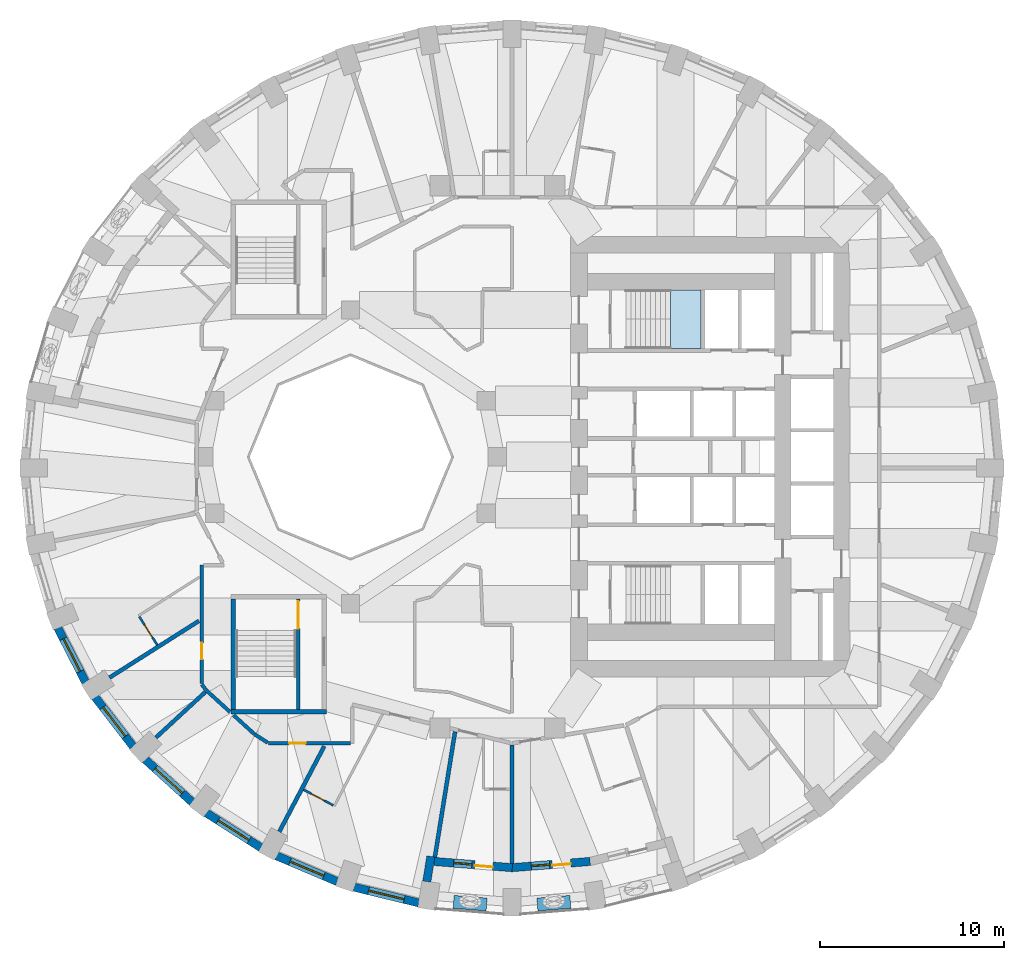
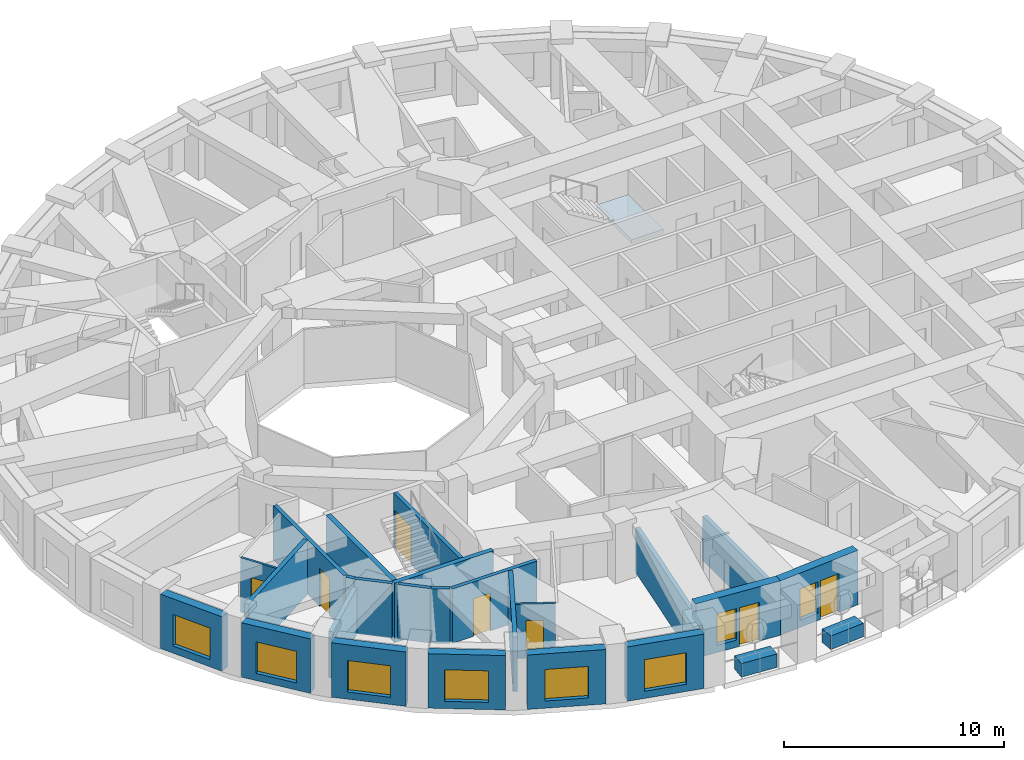
# One storey, part 3 of 13: 27 walls, 8 windows, 7 doors, 1 slab, 15 openings, 1 element without a shape of its own.
"""IFC4 building model written with IfcOpenShell, lengths in metres."""

from ifc_helpers import new_model, si_unit, direction, frame, frame_2d, origin, place, context, subcontext, project, spatial, polyline, rectangle, outline, extrude, material, layer, layer_set, constituent, constituent_set, type_object, element, fill, aggregate, save


model = new_model("IFC4")

# Units and contexts
model_context = context("Model", 3, precision=1e-05, world=origin(), true_north=direction((0.0, 1.0)))
body_context = subcontext(model_context, "Body", "Model", "MODEL_VIEW")
ifc_project = project(units=[si_unit("LENGTHUNIT", "METRE"), si_unit("AREAUNIT", "SQUARE_METRE"), si_unit("VOLUMEUNIT", "CUBIC_METRE"), si_unit("PLANEANGLEUNIT", "RADIAN"), si_unit("MASSUNIT", "GRAM", prefix="KILO")], contexts=[model_context])

# Site, building, storey
site_placement = place(None, origin())
site = spatial("IfcSite", under=ifc_project, at=site_placement, CompositionType="ELEMENT")
building_placement = place(site_placement, origin())
building = spatial("IfcBuilding", under=site, at=building_placement, Name="Taillehof Tower", CompositionType="ELEMENT")
storey_placement = place(building_placement, frame((0.0, 0.0, 108.699951171875)))
storey = spatial("IfcBuildingStorey", under=building, at=storey_placement, Name="L30", CompositionType="ELEMENT", Elevation=108.699951171875)

# Stair, slab
ifc_material_1 = material(Name="Concrete C40/50", Category="concrete")
stair_type = type_object("IfcStairType", Name="Exit stair half-turn", PredefinedType="HALF_TURN_STAIR", material=ifc_material_1)
stair_placement = place(storey_placement, origin())
stair = element("IfcStair", 1, at=stair_placement, inside=storey, type_object=stair_type, Name="Exit stair S1", PredefinedType="HALF_TURN_STAIR")
ifc_material_2 = material(Name="Concrete C40/50", Category="concrete")
ifc_layer_1 = layer(ifc_material_2, 0.2099609375)
ifc_layer_set_1 = layer_set([ifc_layer_1], Name="Stair landing C40/50 210")
slab_type = type_object("IfcSlabType", Name="Stair landing C40/50 210", PredefinedType="LANDING", material=ifc_layer_set_1)
slab_placement = place(storey_placement, frame((0.0, 0.0, 1.43994140625)))
slab = element("IfcSlab", 2, at=slab_placement, type_object=slab_type, Name="S1 landing 1", PredefinedType="LANDING", context=body_context, shape_type="SweptSolid", body=[
    extrude(outline(polyline([(9.429931640625, 5.89990234375), (11.10009765625, 5.89990234375), (11.10009765625, 9.10009765625), (9.429931640625, 9.10009765625), (9.429931640625, 5.89990234375)])), origin(), (0.0, 0.0, 1.0), 0.210205078125),
])
aggregate(stair, [slab])

# Wall, opening, window
ifc_material_3 = material(Name="Brick masonry", Category="masonry")
ifc_layer_2 = layer(ifc_material_3, 0.449951171875)
ifc_layer_set_2 = layer_set([ifc_layer_2], Name="Brick infill wall 450")
wall_type_1 = type_object("IfcWallType", Name="Brick infill wall 450", PredefinedType="SOLIDWALL", material=ifc_layer_set_2)
wall_1_placement = place(storey_placement, frame((-23.9453125, -9.312255859375, 0.0), z_axis=(0.0, 0.0, 1.0), x_axis=(0.456828186229, -0.889554949549, 0.0)))
wall_1 = element("IfcWall", 3, at=wall_1_placement, inside=storey, type_object=wall_type_1, Name="Brick wall L30 bay 21", PredefinedType="SOLIDWALL", context=body_context, shape_type="SweptSolid", body=[
    extrude(rectangle(XDim=3.332763671875, YDim=0.449951171875, at=frame_2d((1.66650390625, 0.0))), origin(), (0.0, 0.0, 1.0), 3.02001953125),
])
opening_1_placement = place(wall_1_placement, frame((0.666259765625, 0.0, 0.39990234375)))
opening_1 = element("IfcOpeningElement", 4, at=opening_1_placement, cuts=wall_1, Name="Opening W2", PredefinedType="OPENING", context=body_context, shape_type="SweptSolid", body=[
    extrude(rectangle(XDim=2.0, YDim=1.75, at=frame_2d((1.0, 0.875))), frame((0.0, 0.23486328125, 0.0), z_axis=(0.0, -1.0, 0.0), x_axis=(1.0, 0.0, 0.0)), (0.0, 0.0, 1.0), 0.469970703125),
])
ifc_material_4 = material(Name="Aluminium window frame with clear double glazing", Category="aluminium")
window_type_1 = type_object("IfcWindowType", Name="Deep-set window 2000x1750", PartitioningType="SINGLE_PANEL", PredefinedType="WINDOW", material=ifc_material_4)
window_1_placement = place(opening_1_placement, origin())
window_1 = element("IfcWindow", 5, at=window_1_placement, inside=storey, type_object=window_type_1, Name="W2", OverallHeight=1.75, OverallWidth=2.0, PartitioningType="SINGLE_PANEL", PredefinedType="WINDOW", context=body_context, shape_type="SweptSolid", body=[
    extrude(rectangle(XDim=2.0, YDim=1.75, at=frame_2d((1.0, 0.875))), frame((0.0, 0.034912109375, 0.0), z_axis=(0.0, -1.0, 0.0), x_axis=(1.0, 0.0, 0.0)), (0.0, 0.0, 1.0), 0.06005859375),
])
fill(opening_1, window_1)

wall_2_placement = place(storey_placement, frame((-21.908203125, -13.08740234375, 0.0), z_axis=(0.0, 0.0, 1.0), x_axis=(0.610693945156, -0.791866721961, 0.0)))
wall_2 = element("IfcWall", 6, at=wall_2_placement, inside=storey, type_object=wall_type_1, Name="Brick wall L30 bay 22", PredefinedType="SOLIDWALL", context=body_context, shape_type="SweptSolid", body=[
    extrude(rectangle(XDim=3.39453125, YDim=0.449951171875, at=frame_2d((1.697265625, 0.0))), origin(), (0.0, 0.0, 1.0), 3.02001953125),
])
opening_2_placement = place(wall_2_placement, frame((0.697265625, 0.0, 0.39990234375)))
opening_2 = element("IfcOpeningElement", 7, at=opening_2_placement, cuts=wall_2, Name="Opening W2", PredefinedType="OPENING", context=body_context, shape_type="SweptSolid", body=[
    extrude(rectangle(XDim=2.0, YDim=1.75, at=frame_2d((1.0, 0.875))), frame((0.0, 0.23486328125, 0.0), z_axis=(0.0, -1.0, 0.0), x_axis=(1.0, 0.0, 0.0)), (0.0, 0.0, 1.0), 0.469970703125),
])
window_2_placement = place(opening_2_placement, origin())
window_2 = element("IfcWindow", 8, at=window_2_placement, inside=storey, type_object=window_type_1, Name="W2", OverallHeight=1.75, OverallWidth=2.0, PartitioningType="SINGLE_PANEL", PredefinedType="WINDOW", context=body_context, shape_type="SweptSolid", body=[
    extrude(rectangle(XDim=2.0, YDim=1.75, at=frame_2d((1.0, 0.875))), frame((0.0, 0.034912109375, 0.0), z_axis=(0.0, -1.0, 0.0), x_axis=(1.0, 0.0, 0.0)), (0.0, 0.0, 1.0), 0.06005859375),
])
fill(opening_2, window_2)

wall_3_placement = place(storey_placement, frame((-19.18408203125, -16.481201171875, 0.0), z_axis=(0.0, 0.0, 1.0), x_axis=(0.740364106106, -0.672206062446, 0.0)))
wall_3 = element("IfcWall", 9, at=wall_3_placement, inside=storey, type_object=wall_type_1, Name="Brick wall L30 bay 23", PredefinedType="SOLIDWALL", context=body_context, shape_type="SweptSolid", body=[
    extrude(rectangle(XDim=3.4638671875, YDim=0.449951171875, at=frame_2d((1.73193359375, 0.0))), origin(), (0.0, 0.0, 1.0), 3.02001953125),
])
opening_3_placement = place(wall_3_placement, frame((0.73193359375, 0.0, 0.39990234375)))
opening_3 = element("IfcOpeningElement", 10, at=opening_3_placement, cuts=wall_3, Name="Opening W2", PredefinedType="OPENING", context=body_context, shape_type="SweptSolid", body=[
    extrude(rectangle(XDim=2.0, YDim=1.75, at=frame_2d((1.0, 0.875))), frame((0.0, 0.23486328125, 0.0), z_axis=(0.0, -1.0, 0.0), x_axis=(1.0, 0.0, 0.0)), (0.0, 0.0, 1.0), 0.469970703125),
])
window_3_placement = place(opening_3_placement, origin())
window_3 = element("IfcWindow", 11, at=window_3_placement, inside=storey, type_object=window_type_1, Name="W2", OverallHeight=1.75, OverallWidth=2.0, PartitioningType="SINGLE_PANEL", PredefinedType="WINDOW", context=body_context, shape_type="SweptSolid", body=[
    extrude(rectangle(XDim=2.0, YDim=1.75, at=frame_2d((1.0, 0.875))), frame((0.0, 0.034912109375, 0.0), z_axis=(0.0, -1.0, 0.0), x_axis=(1.0, 0.0, 0.0)), (0.0, 0.0, 1.0), 0.06005859375),
])
fill(opening_3, window_3)

wall_4_placement = place(storey_placement, frame((-15.856201171875, -19.39208984375, 0.0), z_axis=(0.0, 0.0, 1.0), x_axis=(0.843891947083, -0.53651317006, 0.0)))
wall_4 = element("IfcWall", 12, at=wall_4_placement, inside=storey, type_object=wall_type_1, Name="Brick wall L30 bay 24", PredefinedType="SOLIDWALL", context=body_context, shape_type="SweptSolid", body=[
    extrude(rectangle(XDim=3.531982421875, YDim=0.449951171875, at=frame_2d((1.76611328125, 0.0))), origin(), (0.0, 0.0, 1.0), 3.02001953125),
])
opening_4_placement = place(wall_4_placement, frame((0.76611328125, 0.0, 0.39990234375)))
opening_4 = element("IfcOpeningElement", 13, at=opening_4_placement, cuts=wall_4, Name="Opening W2", PredefinedType="OPENING", context=body_context, shape_type="SweptSolid", body=[
    extrude(rectangle(XDim=2.0, YDim=1.75, at=frame_2d((1.0, 0.875))), frame((0.0, 0.23486328125, 0.0), z_axis=(0.0, -1.0, 0.0), x_axis=(1.0, 0.0, 0.0)), (0.0, 0.0, 1.0), 0.469970703125),
])
window_4_placement = place(opening_4_placement, origin())
window_4 = element("IfcWindow", 14, at=window_4_placement, inside=storey, type_object=window_type_1, Name="W2", OverallHeight=1.75, OverallWidth=2.0, PartitioningType="SINGLE_PANEL", PredefinedType="WINDOW", context=body_context, shape_type="SweptSolid", body=[
    extrude(rectangle(XDim=2.0, YDim=1.75, at=frame_2d((1.0, 0.875))), frame((0.0, 0.034912109375, 0.0), z_axis=(0.0, -1.0, 0.0), x_axis=(1.0, 0.0, 0.0)), (0.0, 0.0, 1.0), 0.06005859375),
])
fill(opening_4, window_4)

wall_5_placement = place(storey_placement, frame((-12.025390625, -21.7333984375, 0.0), z_axis=(0.0, 0.0, 1.0), x_axis=(0.920879975612, -0.389846213932, 0.0)))
wall_5 = element("IfcWall", 15, at=wall_5_placement, inside=storey, type_object=wall_type_1, Name="Brick wall L30 bay 25", PredefinedType="SOLIDWALL", context=body_context, shape_type="SweptSolid", body=[
    extrude(rectangle(XDim=3.591552734375, YDim=0.449951171875, at=frame_2d((1.7958984375, 0.0))), origin(), (0.0, 0.0, 1.0), 3.02001953125),
])
opening_5_placement = place(wall_5_placement, frame((0.795654296875, 0.0, 0.39990234375)))
opening_5 = element("IfcOpeningElement", 16, at=opening_5_placement, cuts=wall_5, Name="Opening W2", PredefinedType="OPENING", context=body_context, shape_type="SweptSolid", body=[
    extrude(rectangle(XDim=2.0, YDim=1.75, at=frame_2d((1.0, 0.875))), frame((0.0, 0.23486328125, 0.0), z_axis=(0.0, -1.0, 0.0), x_axis=(1.0, 0.0, 0.0)), (0.0, 0.0, 1.0), 0.469970703125),
])
window_5_placement = place(opening_5_placement, origin())
window_5 = element("IfcWindow", 17, at=window_5_placement, inside=storey, type_object=window_type_1, Name="W2", OverallHeight=1.75, OverallWidth=2.0, PartitioningType="SINGLE_PANEL", PredefinedType="WINDOW", context=body_context, shape_type="SweptSolid", body=[
    extrude(rectangle(XDim=2.0, YDim=1.75, at=frame_2d((1.0, 0.875))), frame((0.0, 0.034912109375, 0.0), z_axis=(0.0, -1.0, 0.0), x_axis=(1.0, 0.0, 0.0)), (0.0, 0.0, 1.0), 0.06005859375),
])
fill(opening_5, window_5)

wall_6_placement = place(storey_placement, frame((-7.806640625, -23.435302734375, 0.0), z_axis=(0.0, 0.0, 1.0), x_axis=(0.971667603162, -0.236351579148, 0.0)))
wall_6 = element("IfcWall", 18, at=wall_6_placement, inside=storey, type_object=wall_type_1, Name="Brick wall L30 bay 26", PredefinedType="SOLIDWALL", context=body_context, shape_type="SweptSolid", body=[
    extrude(rectangle(XDim=3.635009765625, YDim=0.449951171875, at=frame_2d((1.8173828125, 0.0))), origin(), (0.0, 0.0, 1.0), 3.02001953125),
])
opening_6_placement = place(wall_6_placement, frame((0.8173828125, 0.0, 0.39990234375)))
opening_6 = element("IfcOpeningElement", 19, at=opening_6_placement, cuts=wall_6, Name="Opening W2", PredefinedType="OPENING", context=body_context, shape_type="SweptSolid", body=[
    extrude(rectangle(XDim=2.0, YDim=1.75, at=frame_2d((1.0, 0.875))), frame((0.0, 0.23486328125, 0.0), z_axis=(0.0, -1.0, 0.0), x_axis=(1.0, 0.0, 0.0)), (0.0, 0.0, 1.0), 0.469970703125),
])
window_6_placement = place(opening_6_placement, origin())
window_6 = element("IfcWindow", 20, at=window_6_placement, inside=storey, type_object=window_type_1, Name="W2", OverallHeight=1.75, OverallWidth=2.0, PartitioningType="SINGLE_PANEL", PredefinedType="WINDOW", context=body_context, shape_type="SweptSolid", body=[
    extrude(rectangle(XDim=2.0, YDim=1.75, at=frame_2d((1.0, 0.875))), frame((0.0, 0.034912109375, 0.0), z_axis=(0.0, -1.0, 0.0), x_axis=(1.0, 0.0, 0.0)), (0.0, 0.0, 1.0), 0.06005859375),
])
fill(opening_6, window_6)

# Wall
wall_7_placement = place(storey_placement, frame((-3.84130859375, -23.13232421875, 0.0), z_axis=(0.0, 0.0, 1.0), x_axis=(0.158442643832, 0.987368182906, 0.0)))
element("IfcWall", 21, at=wall_7_placement, inside=storey, type_object=wall_type_1, Name="Brick reveal L30 pocket 8", PredefinedType="SOLIDWALL", context=body_context, shape_type="SweptSolid", body=[
    extrude(rectangle(XDim=1.389892578125, YDim=0.449951171875, at=frame_2d((0.69482421875, 0.0))), origin(), (0.0, 0.0, 1.0), 2.469970703125),
])

# Wall, openings, door, window
wall_8_placement = place(storey_placement, frame((-3.4375, -22.036865234375, 0.0), z_axis=(0.0, 0.0, 1.0), x_axis=(0.996844307919, -0.079381520332, 0.0)))
wall_8 = element("IfcWall", 22, at=wall_8_placement, inside=storey, type_object=wall_type_1, Name="Brick wall L30 pocket bay 27", PredefinedType="SOLIDWALL", context=body_context, shape_type="SweptSolid", body=[
    extrude(rectangle(XDim=4.268798828125, YDim=0.449951171875, at=frame_2d((2.13427734375, 0.0))), origin(), (0.0, 0.0, 1.0), 3.02001953125),
])
opening_7_placement = place(wall_8_placement, frame((1.0595703125, 0.0, 0.39990234375)))
opening_7 = element("IfcOpeningElement", 23, at=opening_7_placement, cuts=wall_8, Name="Opening W5", PredefinedType="OPENING", context=body_context, shape_type="SweptSolid", body=[
    extrude(rectangle(XDim=1.0, YDim=1.75, at=frame_2d((0.5, 0.875))), frame((0.0, 0.23486328125, 0.0), z_axis=(0.0, -1.0, 0.0), x_axis=(1.0, 0.0, 0.0)), (0.0, 0.0, 1.0), 0.469970703125),
])
opening_8_placement = place(wall_8_placement, frame((2.20947265625, 0.0, 0.0)))
opening_8 = element("IfcOpeningElement", 24, at=opening_8_placement, cuts=wall_8, Name="Opening D3094", PredefinedType="OPENING", context=body_context, shape_type="SweptSolid", body=[
    extrude(rectangle(XDim=1.0, YDim=2.14990234375, at=frame_2d((0.5, 1.074951171875))), frame((0.0, 0.23486328125, 0.0), z_axis=(0.0, -1.0, 0.0), x_axis=(1.0, 0.0, 0.0)), (0.0, 0.0, 1.0), 0.469970703125),
])
ifc_material_5 = material(Name="Aluminium door frame with clear double glazing", Category="aluminium")
door_type_1 = type_object("IfcDoorType", Name="Balcony door 1000x2150", OperationType="SINGLE_SWING_RIGHT", PredefinedType="DOOR", material=ifc_material_5)
door_1_placement = place(opening_8_placement, frame((1.0, 0.0, 0.0), z_axis=(0.0, 0.0, 1.0), x_axis=(-1.0, 0.0, 0.0)))
door_1 = element("IfcDoor", 25, at=door_1_placement, inside=storey, type_object=door_type_1, Name="Balcony door L30 bay 27", OperationType="SINGLE_SWING_RIGHT", OverallHeight=2.14990234375, OverallWidth=1.0, PredefinedType="DOOR", context=body_context, shape_type="SweptSolid", body=[
    extrude(rectangle(XDim=1.0, YDim=2.14990234375, at=frame_2d((0.5, 1.074951171875))), frame((0.0, 0.0751953125, 0.0), z_axis=(0.0, -1.0, 0.0), x_axis=(1.0, 0.0, 0.0)), (0.0, 0.0, 1.0), 0.050048828125),
])
fill(opening_8, door_1)
ifc_material_6 = material(Name="Aluminium window frame with clear double glazing", Category="aluminium")
window_type_2 = type_object("IfcWindowType", Name="Fixed window 1000x1750", PartitioningType="SINGLE_PANEL", PredefinedType="WINDOW", material=ifc_material_6)
window_7_placement = place(opening_7_placement, origin())
window_7 = element("IfcWindow", 26, at=window_7_placement, inside=storey, type_object=window_type_2, Name="W5", OverallHeight=1.75, OverallWidth=1.0, PartitioningType="SINGLE_PANEL", PredefinedType="WINDOW", context=body_context, shape_type="SweptSolid", body=[
    extrude(rectangle(XDim=1.0, YDim=1.75, at=frame_2d((0.5, 0.875))), frame((0.0, 0.034912109375, 0.0), z_axis=(0.0, -1.0, 0.0), x_axis=(1.0, 0.0, 0.0)), (0.0, 0.0, 1.0), 0.06005859375),
])
fill(opening_7, window_7)

wall_9_placement = place(storey_placement, frame((0.7822265625, -22.375732421875, 0.0), z_axis=(0.0, 0.0, 1.0), x_axis=(0.996843465986, 0.079392092303, 0.0)))
wall_9 = element("IfcWall", 27, at=wall_9_placement, inside=storey, type_object=wall_type_1, Name="Brick wall L30 pocket bay 28", PredefinedType="SOLIDWALL", context=body_context, shape_type="SweptSolid", body=[
    extrude(rectangle(XDim=4.28662109375, YDim=0.449951171875, at=frame_2d((2.143310546875, 0.0))), origin(), (0.0, 0.0, 1.0), 3.02001953125),
])
opening_9_placement = place(wall_9_placement, frame((1.068359375, 0.0, 0.39990234375)))
opening_9 = element("IfcOpeningElement", 28, at=opening_9_placement, cuts=wall_9, Name="Opening W5", PredefinedType="OPENING", context=body_context, shape_type="SweptSolid", body=[
    extrude(rectangle(XDim=1.0, YDim=1.75, at=frame_2d((0.5, 0.875))), frame((0.0, 0.23486328125, 0.0), z_axis=(0.0, -1.0, 0.0), x_axis=(1.0, 0.0, 0.0)), (0.0, 0.0, 1.0), 0.469970703125),
])
opening_10_placement = place(wall_9_placement, frame((2.218505859375, 0.0, 0.0)))
opening_10 = element("IfcOpeningElement", 29, at=opening_10_placement, cuts=wall_9, Name="Opening D3095", PredefinedType="OPENING", context=body_context, shape_type="SweptSolid", body=[
    extrude(rectangle(XDim=1.0, YDim=2.14990234375, at=frame_2d((0.5, 1.074951171875))), frame((0.0, 0.23486328125, 0.0), z_axis=(0.0, -1.0, 0.0), x_axis=(1.0, 0.0, 0.0)), (0.0, 0.0, 1.0), 0.469970703125),
])
door_2_placement = place(opening_10_placement, frame((1.0, 0.0, 0.0), z_axis=(0.0, 0.0, 1.0), x_axis=(-1.0, 0.0, 0.0)))
door_2 = element("IfcDoor", 30, at=door_2_placement, inside=storey, type_object=door_type_1, Name="Balcony door L30 bay 28", OperationType="SINGLE_SWING_LEFT", OverallHeight=2.14990234375, OverallWidth=1.0, PredefinedType="DOOR", context=body_context, shape_type="SweptSolid", body=[
    extrude(rectangle(XDim=1.0, YDim=2.14990234375, at=frame_2d((0.5, 1.074951171875))), frame((0.0, 0.0751953125, 0.0), z_axis=(0.0, -1.0, 0.0), x_axis=(1.0, 0.0, 0.0)), (0.0, 0.0, 1.0), 0.050048828125),
])
fill(opening_10, door_2)
window_8_placement = place(opening_9_placement, origin())
window_8 = element("IfcWindow", 31, at=window_8_placement, inside=storey, type_object=window_type_2, Name="W5", OverallHeight=1.75, OverallWidth=1.0, PartitioningType="SINGLE_PANEL", PredefinedType="WINDOW", context=body_context, shape_type="SweptSolid", body=[
    extrude(rectangle(XDim=1.0, YDim=1.75, at=frame_2d((0.5, 0.875))), frame((0.0, 0.034912109375, 0.0), z_axis=(0.0, -1.0, 0.0), x_axis=(1.0, 0.0, 0.0)), (0.0, 0.0, 1.0), 0.06005859375),
])
fill(opening_9, window_8)

# Walls
ifc_material_7 = material(Name="Gypsum board on steel studs, two layers each side", Category="steel")
ifc_layer_3 = layer(ifc_material_7, 0.199951171875)
ifc_layer_set_3 = layer_set([ifc_layer_3], Name="Compartment wall corridor 200")
wall_type_2 = type_object("IfcWallType", Name="Compartment wall corridor 200", PredefinedType="PARTITIONING", material=ifc_layer_set_3)
wall_10_placement = place(storey_placement, frame((-14.5595703125, -13.891357421875, 0.0), z_axis=(0.0, 0.0, 1.0), x_axis=(-0.739440483737, 0.673221932954, 0.0)))
element("IfcWall", 32, at=wall_10_placement, inside=storey, type_object=wall_type_2, Name="Compartment wall", PredefinedType="PARTITIONING", context=body_context, shape_type="SweptSolid", body=[
    extrude(rectangle(XDim=1.74755859375, YDim=0.199951171875, at=frame_2d((0.873779296875, 0.0))), origin(), (0.0, 0.0, 1.0), 3.02001953125),
])
wall_11_placement = place(storey_placement, frame((-15.864013671875, -12.698974609375, 0.0), z_axis=(0.0, 0.0, 1.0), x_axis=(-0.61004607296, 0.792365943782, 0.0)))
element("IfcWall", 33, at=wall_11_placement, inside=storey, type_object=wall_type_2, Name="Compartment wall", PredefinedType="PARTITIONING", context=body_context, shape_type="SweptSolid", body=[
    extrude(rectangle(XDim=0.386962890625, YDim=0.199951171875, at=frame_2d((0.193359375, 0.0))), origin(), (0.0, 0.0, 1.0), 3.02001953125),
])

# Wall, opening, door
wall_12_placement = place(storey_placement, frame((-16.10009765625, -12.332275390625, 0.0), z_axis=(0.0, 0.0, 1.0), x_axis=(0.0, 1.0, 0.0)))
wall_12 = element("IfcWall", 34, at=wall_12_placement, inside=storey, type_object=wall_type_2, Name="Compartment wall", PredefinedType="PARTITIONING", context=body_context, shape_type="SweptSolid", body=[
    extrude(rectangle(XDim=6.432373046875, YDim=0.199951171875, at=frame_2d((3.21630859375, 0.0))), origin(), (0.0, 0.0, 1.0), 3.02001953125),
])
opening_11_placement = place(wall_12_placement, frame((1.30419921875, 0.0, 0.0)))
opening_11 = element("IfcOpeningElement", 35, at=opening_11_placement, cuts=wall_12, Name="Opening D3054", PredefinedType="OPENING", context=body_context, shape_type="SweptSolid", body=[
    extrude(rectangle(XDim=0.89990234375, YDim=2.10009765625, at=frame_2d((0.449951171875, 1.050048828125))), frame((0.0, 0.10986328125, 0.0), z_axis=(0.0, -1.0, 0.0), x_axis=(1.0, 0.0, 0.0)), (0.0, 0.0, 1.0), 0.219970703125),
])
ifc_material_8 = material(Name="Timber door leaf in steel frame", Category="steel")
door_type_2 = type_object("IfcDoorType", Name="Service room door EI 30 900 x 2100", OperationType="SINGLE_SWING_LEFT", PredefinedType="DOOR", material=ifc_material_8)
door_3_placement = place(opening_11_placement, origin())
door_3 = element("IfcDoor", 36, at=door_3_placement, inside=storey, type_object=door_type_2, Name="D3054", OperationType="SINGLE_SWING_RIGHT", OverallHeight=2.10009765625, OverallWidth=0.89990234375, PredefinedType="DOOR", context=body_context, shape_type="SweptSolid", body=[
    extrude(rectangle(XDim=0.89990234375, YDim=2.10009765625, at=frame_2d((0.449951171875, 1.050048828125))), frame((0.0, 0.02490234375, 0.0), z_axis=(0.0, -1.0, 0.0), x_axis=(1.0, 0.0, 0.0)), (0.0, 0.0, 1.0), 0.050048828125),
])
fill(opening_11, door_3)

wall_13_placement = place(storey_placement, frame((-8.0, -15.60009765625, 0.0), z_axis=(0.0, 0.0, 1.0), x_axis=(-1.0, 0.0, 0.0)))
wall_13 = element("IfcWall", 37, at=wall_13_placement, inside=storey, type_object=wall_type_2, Name="Compartment wall", PredefinedType="PARTITIONING", context=body_context, shape_type="SweptSolid", body=[
    extrude(rectangle(XDim=4.450927734375, YDim=0.199951171875, at=frame_2d((2.2255859375, 0.0))), origin(), (0.0, 0.0, 1.0), 3.02001953125),
])
opening_12_placement = place(wall_13_placement, frame((2.441650390625, 0.0, 0.0)))
opening_12 = element("IfcOpeningElement", 38, at=opening_12_placement, cuts=wall_13, Name="Opening D3055", PredefinedType="OPENING", context=body_context, shape_type="SweptSolid", body=[
    extrude(rectangle(XDim=0.89990234375, YDim=2.10009765625, at=frame_2d((0.449951171875, 1.050048828125))), frame((0.0, 0.10986328125, 0.0), z_axis=(0.0, -1.0, 0.0), x_axis=(1.0, 0.0, 0.0)), (0.0, 0.0, 1.0), 0.219970703125),
])
door_4_placement = place(opening_12_placement, origin())
door_4 = element("IfcDoor", 39, at=door_4_placement, inside=storey, type_object=door_type_2, Name="D3055", OperationType="SINGLE_SWING_LEFT", OverallHeight=2.10009765625, OverallWidth=0.89990234375, PredefinedType="DOOR", context=body_context, shape_type="SweptSolid", body=[
    extrude(rectangle(XDim=0.89990234375, YDim=2.10009765625, at=frame_2d((0.449951171875, 1.050048828125))), frame((0.0, 0.02490234375, 0.0), z_axis=(0.0, -1.0, 0.0), x_axis=(1.0, 0.0, 0.0)), (0.0, 0.0, 1.0), 0.050048828125),
])
fill(opening_12, door_4)

# Walls
wall_14_placement = place(storey_placement, frame((-12.50146484375, -15.56787109375, 0.0), z_axis=(0.0, 0.0, 1.0), x_axis=(-0.843169167706, 0.537648355926, 0.0)))
element("IfcWall", 40, at=wall_14_placement, inside=storey, type_object=wall_type_2, Name="Compartment wall", PredefinedType="PARTITIONING", context=body_context, shape_type="SweptSolid", body=[
    extrude(rectangle(XDim=0.858154296875, YDim=0.199951171875, at=frame_2d((0.42919921875, 0.0))), origin(), (0.0, 0.0, 1.0), 3.02001953125),
])
wall_15_placement = place(storey_placement, frame((-13.239990234375, -15.093017578125, 0.0), z_axis=(0.0, 0.0, 1.0), x_axis=(-0.739438095557, 0.673224556028, 0.0)))
element("IfcWall", 41, at=wall_15_placement, inside=storey, type_object=wall_type_2, Name="Compartment wall", PredefinedType="PARTITIONING", context=body_context, shape_type="SweptSolid", body=[
    extrude(rectangle(XDim=1.51904296875, YDim=0.199951171875, at=frame_2d((0.759521484375, 0.0))), origin(), (0.0, 0.0, 1.0), 3.02001953125),
])
ifc_material_9 = material(Name="Gypsum board on double steel studs with mineral wool", Category="steel")
ifc_layer_4 = layer(ifc_material_9, 0.219970703125)
ifc_layer_set_4 = layer_set([ifc_layer_4], Name="Compartment wall guest room 220")
wall_type_3 = type_object("IfcWallType", Name="Compartment wall guest room 220", PredefinedType="PARTITIONING", material=ifc_layer_set_4)
wall_16_placement = place(storey_placement, frame((-21.12646484375, -12.0234375, 0.0), z_axis=(0.0, 0.0, 1.0), x_axis=(0.844499715613, 0.535556001114, 0.0)))
element("IfcWall", 42, at=wall_16_placement, inside=storey, type_object=wall_type_3, Name="Compartment wall", PredefinedType="PARTITIONING", context=body_context, shape_type="SweptSolid", body=[
    extrude(rectangle(XDim=5.7734375, YDim=0.219970703125, at=frame_2d((2.88671875, 0.0))), origin(), (0.0, 0.0, 1.0), 3.02001953125),
])
wall_17_placement = place(storey_placement, frame((-18.60400390625, -15.293701171875, 0.0), z_axis=(0.0, 0.0, 1.0), x_axis=(0.73529495628, 0.677747244383, 0.0)))
element("IfcWall", 43, at=wall_17_placement, inside=storey, type_object=wall_type_3, Name="Compartment wall", PredefinedType="PARTITIONING", context=body_context, shape_type="SweptSolid", body=[
    extrude(rectangle(XDim=3.673828125, YDim=0.219970703125, at=frame_2d((1.8369140625, 0.0))), origin(), (0.0, 0.0, 1.0), 2.570068359375),
])
wall_18_placement = place(storey_placement, frame((-11.8759765625, -20.417724609375, 0.0), z_axis=(0.0, 0.0, 1.0), x_axis=(0.465320539057, 0.885142246157, 0.0)))
element("IfcWall", 44, at=wall_18_placement, inside=storey, type_object=wall_type_3, Name="Compartment wall", PredefinedType="PARTITIONING", context=body_context, shape_type="SweptSolid", body=[
    extrude(rectangle(XDim=5.269287109375, YDim=0.219970703125, at=frame_2d((2.634765625, 0.0))), origin(), (0.0, 0.0, 1.0), 3.02001953125),
])
wall_19_placement = place(storey_placement, frame((-3.40185546875, -21.81396484375, 0.0), z_axis=(0.0, 0.0, 1.0), x_axis=(0.158512534522, 0.987356965033, 0.0)))
element("IfcWall", 45, at=wall_19_placement, inside=storey, type_object=wall_type_3, Name="Compartment wall", PredefinedType="PARTITIONING", context=body_context, shape_type="SweptSolid", body=[
    extrude(rectangle(XDim=6.930908203125, YDim=0.219970703125, at=frame_2d((3.46533203125, 0.0))), origin(), (0.0, 0.0, 1.0), 2.469970703125),
])
wall_20_placement = place(storey_placement, frame((0.800048828125, -22.148681640625, 0.0), z_axis=(0.0, 0.0, 1.0), x_axis=(0.0, 1.0, 0.0)))
element("IfcWall", 46, at=wall_20_placement, inside=storey, type_object=wall_type_3, Name="Compartment wall", PredefinedType="PARTITIONING", context=body_context, shape_type="SweptSolid", body=[
    extrude(rectangle(XDim=6.448486328125, YDim=0.219970703125, at=frame_2d((3.22412109375, 0.0))), origin(), (0.0, 0.0, 1.0), 2.469970703125),
])

# Wall, opening, door
ifc_material_10 = material(Name="Gypsum board on steel studs, moisture resistant", Category="steel")
ifc_layer_5 = layer(ifc_material_10, 0.1201171875)
ifc_layer_set_5 = layer_set([ifc_layer_5], Name="En-suite wall 120")
wall_type_4 = type_object("IfcWallType", Name="En-suite wall 120", PredefinedType="PARTITIONING", material=ifc_layer_set_5)
wall_21_placement = place(storey_placement, frame((-19.50341796875, -8.69677734375, 0.0), z_axis=(0.0, 0.0, 1.0), x_axis=(0.535467767516, -0.844555664211, 0.0)))
wall_21 = element("IfcWall", 47, at=wall_21_placement, inside=storey, type_object=wall_type_4, Name="En-suite wall", PredefinedType="PARTITIONING", context=body_context, shape_type="SweptSolid", body=[
    extrude(rectangle(XDim=1.830078125, YDim=0.1201171875, at=frame_2d((0.9150390625, 0.0))), origin(), (0.0, 0.0, 1.0), 3.02001953125),
])
opening_13_placement = place(wall_21_placement, frame((0.5400390625, 0.0, 0.0)))
opening_13 = element("IfcOpeningElement", 48, at=opening_13_placement, cuts=wall_21, Name="Opening D3053", PredefinedType="OPENING", context=body_context, shape_type="SweptSolid", body=[
    extrude(rectangle(XDim=0.800048828125, YDim=2.10009765625, at=frame_2d((0.39990234375, 1.050048828125))), frame((0.0, 0.070068359375, 0.0), z_axis=(0.0, -1.0, 0.0), x_axis=(1.0, 0.0, 0.0)), (0.0, 0.0, 1.0), 0.14013671875),
])
ifc_material_11 = material(Name="Timber door leaf in steel frame", Category="steel")
door_type_3 = type_object("IfcDoorType", Name="En-suite door 800 x 2100", OperationType="SINGLE_SWING_LEFT", PredefinedType="DOOR", material=ifc_material_11)
door_5_placement = place(opening_13_placement, origin())
door_5 = element("IfcDoor", 49, at=door_5_placement, inside=storey, type_object=door_type_3, Name="D3053", OperationType="SINGLE_SWING_LEFT", OverallHeight=2.10009765625, OverallWidth=0.800048828125, PredefinedType="DOOR", context=body_context, shape_type="SweptSolid", body=[
    extrude(rectangle(XDim=0.800048828125, YDim=2.10009765625, at=frame_2d((0.39990234375, 1.050048828125))), frame((0.0, 0.02490234375, 0.0), z_axis=(0.0, -1.0, 0.0), x_axis=(1.0, 0.0, 0.0)), (0.0, 0.0, 1.0), 0.050048828125),
])
fill(opening_13, door_5)

wall_22_placement = place(storey_placement, frame((-8.929443359375, -18.981201171875, 0.0), z_axis=(0.0, 0.0, 1.0), x_axis=(-0.885114946598, 0.465372465139, 0.0)))
wall_22 = element("IfcWall", 50, at=wall_22_placement, inside=storey, type_object=wall_type_4, Name="En-suite wall", PredefinedType="PARTITIONING", context=body_context, shape_type="SweptSolid", body=[
    extrude(rectangle(XDim=1.829833984375, YDim=0.1201171875, at=frame_2d((0.9150390625, 0.0))), origin(), (0.0, 0.0, 1.0), 3.02001953125),
])
opening_14_placement = place(wall_22_placement, frame((0.539794921875, 0.0, 0.0)))
opening_14 = element("IfcOpeningElement", 51, at=opening_14_placement, cuts=wall_22, Name="Opening D3057", PredefinedType="OPENING", context=body_context, shape_type="SweptSolid", body=[
    extrude(rectangle(XDim=0.800048828125, YDim=2.10009765625, at=frame_2d((0.39990234375, 1.050048828125))), frame((0.0, 0.070068359375, 0.0), z_axis=(0.0, -1.0, 0.0), x_axis=(1.0, 0.0, 0.0)), (0.0, 0.0, 1.0), 0.14013671875),
])
door_6_placement = place(opening_14_placement, origin())
door_6 = element("IfcDoor", 52, at=door_6_placement, inside=storey, type_object=door_type_3, Name="D3057", OperationType="SINGLE_SWING_RIGHT", OverallHeight=2.10009765625, OverallWidth=0.800048828125, PredefinedType="DOOR", context=body_context, shape_type="SweptSolid", body=[
    extrude(rectangle(XDim=0.800048828125, YDim=2.10009765625, at=frame_2d((0.39990234375, 1.050048828125))), frame((0.0, 0.02490234375, 0.0), z_axis=(0.0, -1.0, 0.0), x_axis=(1.0, 0.0, 0.0)), (0.0, 0.0, 1.0), 0.050048828125),
])
fill(opening_14, door_6)

# Walls
ifc_material_12 = material(Name="Concrete C30/37 precast", Category="concrete")
ifc_constituent_1 = constituent(ifc_material_12, Name="Structure", Category="concrete")
ifc_material_13 = material(Name="Insulated lining")
ifc_constituent_2 = constituent(ifc_material_13, Name="Lining")
ifc_constituent_set = constituent_set(constituents=[ifc_constituent_1, ifc_constituent_2], Name="Planter trough 700x750")
wall_type_5 = type_object("IfcWallType", Name="Planter trough 700x750", PredefinedType="USERDEFINED", material=ifc_constituent_set)
for number, where, z_axis, x_axis, name in (
    (53, (-2.3779296875, -24.23583984375, 0.0), (0.0, 0.0, 1.0), (0.996858257414, -0.079206152698, 0.0), "Planter L30 bay 27"),
    (54, (2.18359375, -24.37841796875, 0.0), (0.0, 0.0, 1.0), (0.996858257414, 0.079206152698, 0.0), "Planter L30 bay 28"),
):
    element("IfcWall", number, at=place(storey_placement, frame(where, z_axis=z_axis, x_axis=x_axis)), inside=storey, type_object=wall_type_5, Name=name, ObjectType="PLANTER", PredefinedType="USERDEFINED", context=body_context, shape_type="SweptSolid", body=[
        extrude(rectangle(XDim=1.800048828125, YDim=0.699951171875, at=frame_2d((0.89990234375, 0.0))), origin(), (0.0, 0.0, 1.0), 0.75),
    ])

# Wall, opening, door
ifc_material_14 = material(Name="Concrete C50/60", Category="concrete")
ifc_layer_6 = layer(ifc_material_14, 0.199951171875)
ifc_layer_set_6 = layer_set([ifc_layer_6], Name="Shaft wall C50/60 200")
wall_type_6 = type_object("IfcWallType", Name="Shaft wall C50/60 200", PredefinedType="SHEAR", material=ifc_layer_set_6)
wall_23_placement = place(storey_placement, frame((-10.85009765625, -13.75, 0.0), z_axis=(0.0, 0.0, 1.0), x_axis=(0.0, 1.0, 0.0)))
wall_23 = element("IfcWall", 55, at=wall_23_placement, inside=storey, type_object=wall_type_6, Name="Shaft wall SW", PredefinedType="SHEAR", context=body_context, shape_type="SweptSolid", body=[
    extrude(rectangle(XDim=6.0, YDim=0.199951171875, at=frame_2d((3.0, 0.0))), origin(), (0.0, 0.0, 1.0), 3.02001953125),
])
opening_15_placement = place(wall_23_placement, frame((4.39990234375, 0.0, 0.0)))
opening_15 = element("IfcOpeningElement", 56, at=opening_15_placement, cuts=wall_23, Name="Opening D3013", PredefinedType="OPENING", context=body_context, shape_type="SweptSolid", body=[
    extrude(rectangle(XDim=1.5, YDim=2.10009765625, at=frame_2d((0.75, 1.050048828125))), frame((0.0, 0.10986328125, 0.0), z_axis=(0.0, -1.0, 0.0), x_axis=(1.0, 0.0, 0.0)), (0.0, 0.0, 1.0), 0.219970703125),
])
ifc_material_15 = material(Name="Steel-faced fire door", Category="steel")
door_type_4 = type_object("IfcDoorType", Name="Stair door 1500x2100", OperationType="DOUBLE_DOOR_SINGLE_SWING", PredefinedType="DOOR", material=ifc_material_15)
door_7_placement = place(opening_15_placement, origin())
door_7 = element("IfcDoor", 57, at=door_7_placement, inside=storey, type_object=door_type_4, Name="Stair lobby door S4", OperationType="DOUBLE_DOOR_SINGLE_SWING", OverallHeight=2.10009765625, OverallWidth=1.5, PredefinedType="DOOR", context=body_context, shape_type="SweptSolid", body=[
    extrude(rectangle(XDim=1.5, YDim=2.10009765625, at=frame_2d((0.75, 1.050048828125))), frame((0.0, 0.02490234375, 0.0), z_axis=(0.0, -1.0, 0.0), x_axis=(1.0, 0.0, 0.0)), (0.0, 0.0, 1.0), 0.050048828125),
])
fill(opening_15, door_7)

# Walls
ifc_material_16 = material(Name="Concrete C50/60", Category="concrete")
ifc_layer_7 = layer(ifc_material_16, 0.25)
ifc_layer_set_7 = layer_set([ifc_layer_7], Name="Stair wall C50/60 250")
wall_type_7 = type_object("IfcWallType", Name="Stair wall C50/60 250", PredefinedType="SHEAR", material=ifc_layer_set_7)
wall_24_placement = place(storey_placement, frame((-14.375, -13.75, -0.280029296875), z_axis=(0.0, 0.0, 1.0), x_axis=(0.0, 1.0, 0.0)))
element("IfcWall", 58, at=wall_24_placement, inside=storey, type_object=wall_type_7, Name="Stair wall SC", PredefinedType="SHEAR", context=body_context, shape_type="SweptSolid", body=[
    extrude(rectangle(XDim=6.0, YDim=0.25, at=frame_2d((3.0, 0.0))), origin(), (0.0, 0.0, 1.0), 3.300048828125),
])
wall_25_placement = place(storey_placement, frame((-14.5, -13.875, -0.280029296875), z_axis=(0.0, 0.0, 1.0), x_axis=(1.0, 0.0, 0.0)))
element("IfcWall", 59, at=wall_25_placement, inside=storey, type_object=wall_type_7, Name="Stair wall SC", PredefinedType="SHEAR", context=body_context, shape_type="SweptSolid", body=[
    extrude(rectangle(XDim=5.199951171875, YDim=0.25, at=frame_2d((2.60009765625, 0.0))), origin(), (0.0, 0.0, 1.0), 3.300048828125),
])

save(model, "model.ifc")
